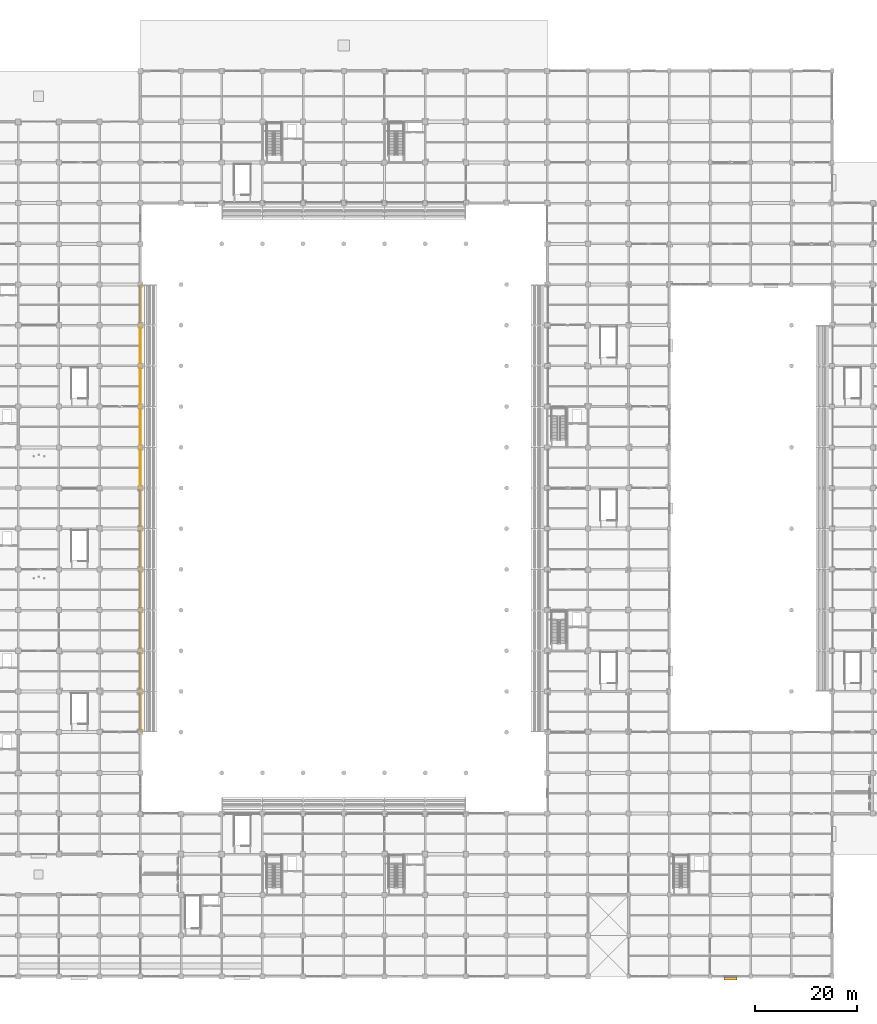
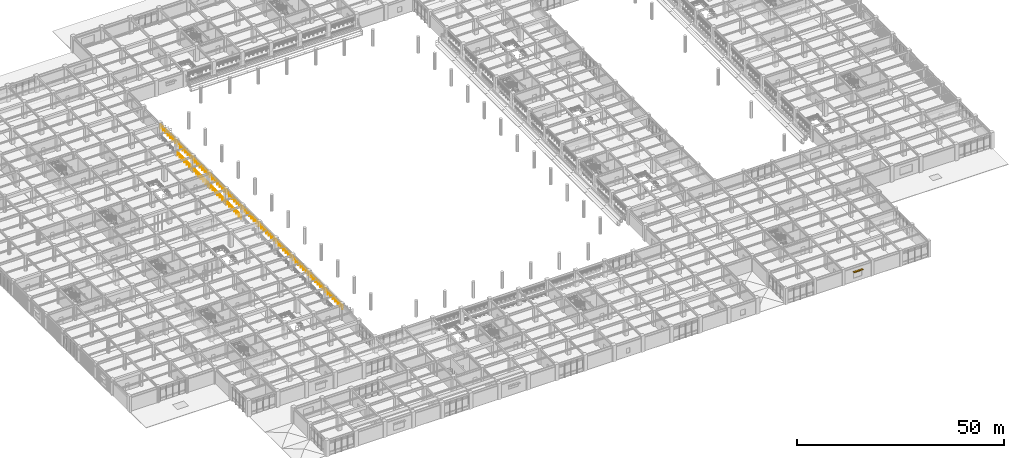
# One storey, part 105 of 117: 5 railings, 1 shading device.
"""IFC4 building model written with IfcOpenShell, lengths in metres."""

from ifc_helpers import new_model, si_unit, direction, frame, origin, origin_2d, place, context, subcontext, project, spatial, rectangle, circle, extrude, material, layer, layer_set, type_object, element, save


model = new_model("IFC4")

# Units and contexts
model_context = context("Model", 3, precision=1e-05, world=origin(), true_north=direction((0.0, 1.0)))
body_context = subcontext(model_context, "Body", "Model", "MODEL_VIEW")
ifc_project = project(units=[si_unit("LENGTHUNIT", "METRE"), si_unit("AREAUNIT", "SQUARE_METRE"), si_unit("VOLUMEUNIT", "CUBIC_METRE"), si_unit("PLANEANGLEUNIT", "RADIAN"), si_unit("MASSUNIT", "GRAM", prefix="KILO")], contexts=[model_context])

# Site, building, storey
site_placement = place(None, origin())
site = spatial("IfcSite", under=ifc_project, at=site_placement, CompositionType="ELEMENT")
building_placement = place(site_placement, origin())
building = spatial("IfcBuilding", under=site, at=building_placement, Name="Haebicheon Civic Stadium", CompositionType="ELEMENT")
storey_placement = place(building_placement, frame((0.0, 0.0, 4.800048828125)))
storey = spatial("IfcBuildingStorey", under=building, at=storey_placement, Name="L02", CompositionType="ELEMENT", Elevation=4.800048828125)

# Railings
ifc_material_1 = material(Name="Stainless steel 316 and laminated glass", Category="steel")
railing_type = type_object("IfcRailingType", Name="RL-BAL-1200", PredefinedType="BALUSTRADE", material=ifc_material_1)
for number, where, name in (
    (1, (63.860107421875, 96.5, 0.0), "L02 concourse bowl-edge balustrade 007"),
    (2, (63.860107421875, 104.5, 0.0), "L02 concourse bowl-edge balustrade 008"),
    (3, (63.860107421875, 112.5, 0.0), "L02 concourse bowl-edge balustrade 009"),
    (4, (63.860107421875, 120.5, 0.0), "L02 concourse bowl-edge balustrade 010"),
):
    element("IfcRailing", number, at=place(storey_placement, frame(where)), inside=storey, type_object=railing_type, material=ifc_material_1, Name=name, PredefinedType="BALUSTRADE", context=body_context, shape_type="SweptSolid", body=[
        extrude(circle(Radius=0.02392578125, at=origin_2d()), frame((0.0, 0.0, 1.17578125), z_axis=(0.0, 1.0, 0.0), x_axis=(-1.0, 0.0, 0.0)), (0.0, 0.0, 1.0), 7.0),
        extrude(circle(Radius=0.02392578125, at=origin_2d()), frame((0.0, 0.0, 0.60009765625), z_axis=(0.0, 1.0, 0.0), x_axis=(-1.0, 0.0, 0.0)), (0.0, 0.0, 1.0), 7.0),
        extrude(circle(Radius=0.02099609375, at=origin_2d()), origin(), (0.0, 0.0, 1.0), 1.15185546875),
        extrude(circle(Radius=0.02099609375, at=origin_2d()), frame((0.0, 1.166748046875, 0.0)), (0.0, 0.0, 1.0), 1.15185546875),
        extrude(circle(Radius=0.02099609375, at=origin_2d()), frame((0.0, 2.333251953125, 0.0)), (0.0, 0.0, 1.0), 1.15185546875),
        extrude(circle(Radius=0.02099609375, at=origin_2d()), frame((0.0, 3.5, 0.0)), (0.0, 0.0, 1.0), 1.15185546875),
        extrude(circle(Radius=0.02099609375, at=origin_2d()), frame((0.0, 4.666748046875, 0.0)), (0.0, 0.0, 1.0), 1.15185546875),
        extrude(circle(Radius=0.02099609375, at=origin_2d()), frame((0.0, 5.833251953125, 0.0)), (0.0, 0.0, 1.0), 1.15185546875),
        extrude(circle(Radius=0.02099609375, at=origin_2d()), frame((0.0, 7.0, 0.0)), (0.0, 0.0, 1.0), 1.15185546875),
    ])
railing_placement = place(storey_placement, frame((64.1201171875, 48.06005859375, 2.800048828125)))
element("IfcRailing", 5, at=railing_placement, inside=storey, type_object=railing_type, material=ifc_material_1, Name="TIER-W-L upper gangway balustrade", PredefinedType="BALUSTRADE", context=body_context, shape_type="SweptSolid", body=[
    extrude(circle(Radius=0.02392578125, at=origin_2d()), frame((0.0, 0.0, 1.17578125), z_axis=(0.0, 1.0, 0.0), x_axis=(-1.0, 0.0, 0.0)), (0.0, 0.0, 1.0), 87.8798828125),
    extrude(circle(Radius=0.02392578125, at=origin_2d()), frame((0.0, 0.0, 0.60009765625), z_axis=(0.0, 1.0, 0.0), x_axis=(-1.0, 0.0, 0.0)), (0.0, 0.0, 1.0), 87.8798828125),
    extrude(circle(Radius=0.02099609375, at=origin_2d()), origin(), (0.0, 0.0, 1.0), 1.15185546875),
    extrude(circle(Radius=0.02099609375, at=origin_2d()), frame((0.0, 1.1875, 0.0)), (0.0, 0.0, 1.0), 1.15185546875),
    extrude(circle(Radius=0.02099609375, at=origin_2d()), frame((0.0, 2.375244140625, 0.0)), (0.0, 0.0, 1.0), 1.15185546875),
    extrude(circle(Radius=0.02099609375, at=origin_2d()), frame((0.0, 3.562744140625, 0.0)), (0.0, 0.0, 1.0), 1.15185546875),
    extrude(circle(Radius=0.02099609375, at=origin_2d()), frame((0.0, 4.750244140625, 0.0)), (0.0, 0.0, 1.0), 1.15185546875),
    extrude(circle(Radius=0.02099609375, at=origin_2d()), frame((0.0, 5.937744140625, 0.0)), (0.0, 0.0, 1.0), 1.15185546875),
    extrude(circle(Radius=0.02099609375, at=origin_2d()), frame((0.0, 7.12548828125, 0.0)), (0.0, 0.0, 1.0), 1.15185546875),
    extrude(circle(Radius=0.02099609375, at=origin_2d()), frame((0.0, 8.31298828125, 0.0)), (0.0, 0.0, 1.0), 1.15185546875),
    extrude(circle(Radius=0.02099609375, at=origin_2d()), frame((0.0, 9.50048828125, 0.0)), (0.0, 0.0, 1.0), 1.15185546875),
    extrude(circle(Radius=0.02099609375, at=origin_2d()), frame((0.0, 10.68798828125, 0.0)), (0.0, 0.0, 1.0), 1.15185546875),
    extrude(circle(Radius=0.02099609375, at=origin_2d()), frame((0.0, 11.875732421875, 0.0)), (0.0, 0.0, 1.0), 1.15185546875),
    extrude(circle(Radius=0.02099609375, at=origin_2d()), frame((0.0, 13.063232421875, 0.0)), (0.0, 0.0, 1.0), 1.15185546875),
    extrude(circle(Radius=0.02099609375, at=origin_2d()), frame((0.0, 14.250732421875, 0.0)), (0.0, 0.0, 1.0), 1.15185546875),
    extrude(circle(Radius=0.02099609375, at=origin_2d()), frame((0.0, 15.4384765625, 0.0)), (0.0, 0.0, 1.0), 1.15185546875),
    extrude(circle(Radius=0.02099609375, at=origin_2d()), frame((0.0, 16.6259765625, 0.0)), (0.0, 0.0, 1.0), 1.15185546875),
    extrude(circle(Radius=0.02099609375, at=origin_2d()), frame((0.0, 17.8134765625, 0.0)), (0.0, 0.0, 1.0), 1.15185546875),
    extrude(circle(Radius=0.02099609375, at=origin_2d()), frame((0.0, 19.0009765625, 0.0)), (0.0, 0.0, 1.0), 1.15185546875),
    extrude(circle(Radius=0.02099609375, at=origin_2d()), frame((0.0, 20.188720703125, 0.0)), (0.0, 0.0, 1.0), 1.15185546875),
    extrude(circle(Radius=0.02099609375, at=origin_2d()), frame((0.0, 21.376220703125, 0.0)), (0.0, 0.0, 1.0), 1.15185546875),
    extrude(circle(Radius=0.02099609375, at=origin_2d()), frame((0.0, 22.563720703125, 0.0)), (0.0, 0.0, 1.0), 1.15185546875),
    extrude(circle(Radius=0.02099609375, at=origin_2d()), frame((0.0, 23.751220703125, 0.0)), (0.0, 0.0, 1.0), 1.15185546875),
    extrude(circle(Radius=0.02099609375, at=origin_2d()), frame((0.0, 24.93896484375, 0.0)), (0.0, 0.0, 1.0), 1.15185546875),
    extrude(circle(Radius=0.02099609375, at=origin_2d()), frame((0.0, 26.12646484375, 0.0)), (0.0, 0.0, 1.0), 1.15185546875),
    extrude(circle(Radius=0.02099609375, at=origin_2d()), frame((0.0, 27.31396484375, 0.0)), (0.0, 0.0, 1.0), 1.15185546875),
    extrude(circle(Radius=0.02099609375, at=origin_2d()), frame((0.0, 28.50146484375, 0.0)), (0.0, 0.0, 1.0), 1.15185546875),
    extrude(circle(Radius=0.02099609375, at=origin_2d()), frame((0.0, 29.689208984375, 0.0)), (0.0, 0.0, 1.0), 1.15185546875),
    extrude(circle(Radius=0.02099609375, at=origin_2d()), frame((0.0, 30.876708984375, 0.0)), (0.0, 0.0, 1.0), 1.15185546875),
    extrude(circle(Radius=0.02099609375, at=origin_2d()), frame((0.0, 32.064208984375, 0.0)), (0.0, 0.0, 1.0), 1.15185546875),
    extrude(circle(Radius=0.02099609375, at=origin_2d()), frame((0.0, 33.251953125, 0.0)), (0.0, 0.0, 1.0), 1.15185546875),
    extrude(circle(Radius=0.02099609375, at=origin_2d()), frame((0.0, 34.439453125, 0.0)), (0.0, 0.0, 1.0), 1.15185546875),
    extrude(circle(Radius=0.02099609375, at=origin_2d()), frame((0.0, 35.626953125, 0.0)), (0.0, 0.0, 1.0), 1.15185546875),
    extrude(circle(Radius=0.02099609375, at=origin_2d()), frame((0.0, 36.814453125, 0.0)), (0.0, 0.0, 1.0), 1.15185546875),
    extrude(circle(Radius=0.02099609375, at=origin_2d()), frame((0.0, 38.002197265625, 0.0)), (0.0, 0.0, 1.0), 1.15185546875),
    extrude(circle(Radius=0.02099609375, at=origin_2d()), frame((0.0, 39.189697265625, 0.0)), (0.0, 0.0, 1.0), 1.15185546875),
    extrude(circle(Radius=0.02099609375, at=origin_2d()), frame((0.0, 40.377197265625, 0.0)), (0.0, 0.0, 1.0), 1.15185546875),
    extrude(circle(Radius=0.02099609375, at=origin_2d()), frame((0.0, 41.564697265625, 0.0)), (0.0, 0.0, 1.0), 1.15185546875),
    extrude(circle(Radius=0.02099609375, at=origin_2d()), frame((0.0, 42.75244140625, 0.0)), (0.0, 0.0, 1.0), 1.15185546875),
    extrude(circle(Radius=0.02099609375, at=origin_2d()), frame((0.0, 43.93994140625, 0.0)), (0.0, 0.0, 1.0), 1.15185546875),
    extrude(circle(Radius=0.02099609375, at=origin_2d()), frame((0.0, 45.12744140625, 0.0)), (0.0, 0.0, 1.0), 1.15185546875),
    extrude(circle(Radius=0.02099609375, at=origin_2d()), frame((0.0, 46.315185546875, 0.0)), (0.0, 0.0, 1.0), 1.15185546875),
    extrude(circle(Radius=0.02099609375, at=origin_2d()), frame((0.0, 47.502685546875, 0.0)), (0.0, 0.0, 1.0), 1.15185546875),
    extrude(circle(Radius=0.02099609375, at=origin_2d()), frame((0.0, 48.690185546875, 0.0)), (0.0, 0.0, 1.0), 1.15185546875),
    extrude(circle(Radius=0.02099609375, at=origin_2d()), frame((0.0, 49.877685546875, 0.0)), (0.0, 0.0, 1.0), 1.15185546875),
    extrude(circle(Radius=0.02099609375, at=origin_2d()), frame((0.0, 51.0654296875, 0.0)), (0.0, 0.0, 1.0), 1.15185546875),
    extrude(circle(Radius=0.02099609375, at=origin_2d()), frame((0.0, 52.2529296875, 0.0)), (0.0, 0.0, 1.0), 1.15185546875),
    extrude(circle(Radius=0.02099609375, at=origin_2d()), frame((0.0, 53.4404296875, 0.0)), (0.0, 0.0, 1.0), 1.15185546875),
    extrude(circle(Radius=0.02099609375, at=origin_2d()), frame((0.0, 54.6279296875, 0.0)), (0.0, 0.0, 1.0), 1.15185546875),
    extrude(circle(Radius=0.02099609375, at=origin_2d()), frame((0.0, 55.815673828125, 0.0)), (0.0, 0.0, 1.0), 1.15185546875),
    extrude(circle(Radius=0.02099609375, at=origin_2d()), frame((0.0, 57.003173828125, 0.0)), (0.0, 0.0, 1.0), 1.15185546875),
    extrude(circle(Radius=0.02099609375, at=origin_2d()), frame((0.0, 58.190673828125, 0.0)), (0.0, 0.0, 1.0), 1.15185546875),
    extrude(circle(Radius=0.02099609375, at=origin_2d()), frame((0.0, 59.37841796875, 0.0)), (0.0, 0.0, 1.0), 1.15185546875),
    extrude(circle(Radius=0.02099609375, at=origin_2d()), frame((0.0, 60.56591796875, 0.0)), (0.0, 0.0, 1.0), 1.15185546875),
    extrude(circle(Radius=0.02099609375, at=origin_2d()), frame((0.0, 61.75341796875, 0.0)), (0.0, 0.0, 1.0), 1.15185546875),
    extrude(circle(Radius=0.02099609375, at=origin_2d()), frame((0.0, 62.94091796875, 0.0)), (0.0, 0.0, 1.0), 1.15185546875),
    extrude(circle(Radius=0.02099609375, at=origin_2d()), frame((0.0, 64.128662109375, 0.0)), (0.0, 0.0, 1.0), 1.15185546875),
    extrude(circle(Radius=0.02099609375, at=origin_2d()), frame((0.0, 65.316162109375, 0.0)), (0.0, 0.0, 1.0), 1.15185546875),
    extrude(circle(Radius=0.02099609375, at=origin_2d()), frame((0.0, 66.503662109375, 0.0)), (0.0, 0.0, 1.0), 1.15185546875),
    extrude(circle(Radius=0.02099609375, at=origin_2d()), frame((0.0, 67.691162109375, 0.0)), (0.0, 0.0, 1.0), 1.15185546875),
    extrude(circle(Radius=0.02099609375, at=origin_2d()), frame((0.0, 68.87890625, 0.0)), (0.0, 0.0, 1.0), 1.15185546875),
    extrude(circle(Radius=0.02099609375, at=origin_2d()), frame((0.0, 70.06640625, 0.0)), (0.0, 0.0, 1.0), 1.15185546875),
    extrude(circle(Radius=0.02099609375, at=origin_2d()), frame((0.0, 71.25390625, 0.0)), (0.0, 0.0, 1.0), 1.15185546875),
    extrude(circle(Radius=0.02099609375, at=origin_2d()), frame((0.0, 72.44140625, 0.0)), (0.0, 0.0, 1.0), 1.15185546875),
    extrude(circle(Radius=0.02099609375, at=origin_2d()), frame((0.0, 73.629150390625, 0.0)), (0.0, 0.0, 1.0), 1.15185546875),
    extrude(circle(Radius=0.02099609375, at=origin_2d()), frame((0.0, 74.816650390625, 0.0)), (0.0, 0.0, 1.0), 1.15185546875),
    extrude(circle(Radius=0.02099609375, at=origin_2d()), frame((0.0, 76.004150390625, 0.0)), (0.0, 0.0, 1.0), 1.15185546875),
    extrude(circle(Radius=0.02099609375, at=origin_2d()), frame((0.0, 77.19189453125, 0.0)), (0.0, 0.0, 1.0), 1.15185546875),
    extrude(circle(Radius=0.02099609375, at=origin_2d()), frame((0.0, 78.37939453125, 0.0)), (0.0, 0.0, 1.0), 1.15185546875),
    extrude(circle(Radius=0.02099609375, at=origin_2d()), frame((0.0, 79.56689453125, 0.0)), (0.0, 0.0, 1.0), 1.15185546875),
    extrude(circle(Radius=0.02099609375, at=origin_2d()), frame((0.0, 80.75439453125, 0.0)), (0.0, 0.0, 1.0), 1.15185546875),
    extrude(circle(Radius=0.02099609375, at=origin_2d()), frame((0.0, 81.942138671875, 0.0)), (0.0, 0.0, 1.0), 1.15185546875),
    extrude(circle(Radius=0.02099609375, at=origin_2d()), frame((0.0, 83.129638671875, 0.0)), (0.0, 0.0, 1.0), 1.15185546875),
    extrude(circle(Radius=0.02099609375, at=origin_2d()), frame((0.0, 84.317138671875, 0.0)), (0.0, 0.0, 1.0), 1.15185546875),
    extrude(circle(Radius=0.02099609375, at=origin_2d()), frame((0.0, 85.504638671875, 0.0)), (0.0, 0.0, 1.0), 1.15185546875),
    extrude(circle(Radius=0.02099609375, at=origin_2d()), frame((0.0, 86.6923828125, 0.0)), (0.0, 0.0, 1.0), 1.15185546875),
    extrude(circle(Radius=0.02099609375, at=origin_2d()), frame((0.0, 87.8798828125, 0.0)), (0.0, 0.0, 1.0), 1.15185546875),
])

# Shading device
ifc_material_2 = material(Name="Anodised aluminium 6063-T6", Category="aluminium")
ifc_layer = layer(ifc_material_2, 0.1201171875, Name="Anodised aluminium 6063-T6")
ifc_layer_set = layer_set([ifc_layer], Name="Anodised aluminium 6063-T6")
shading_device_type = type_object("IfcShadingDeviceType", Name="SHD-ALU-LVR", PredefinedType="USERDEFINED", material=ifc_layer_set)
shading_device_placement = place(storey_placement, frame((180.0, -0.445068359375, 2.969970703125), z_axis=(0.0, 0.0, 1.0), x_axis=(1.0, 0.0, 0.0)))
element("IfcShadingDevice", 6, at=shading_device_placement, inside=storey, type_object=shading_device_type, material=ifc_layer_set, Name="L02 window sunshade louvre hood 21", ObjectType="LOUVRE", PredefinedType="USERDEFINED", context=body_context, shape_type="SweptSolid", body=[
    extrude(rectangle(XDim=2.60009765625, YDim=0.550048828125, at=origin_2d()), origin(), (0.0, 0.0, 1.0), 0.1201171875),
])

save(model, "model.ifc")
